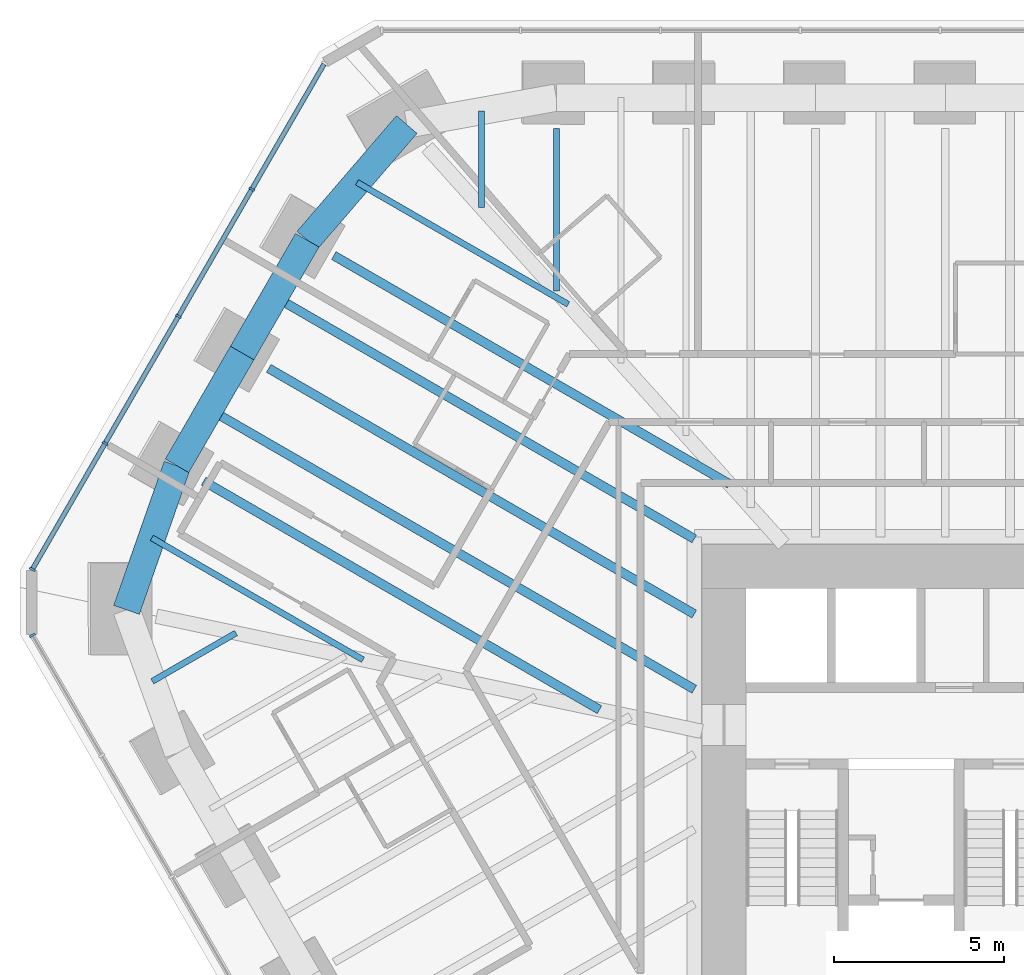
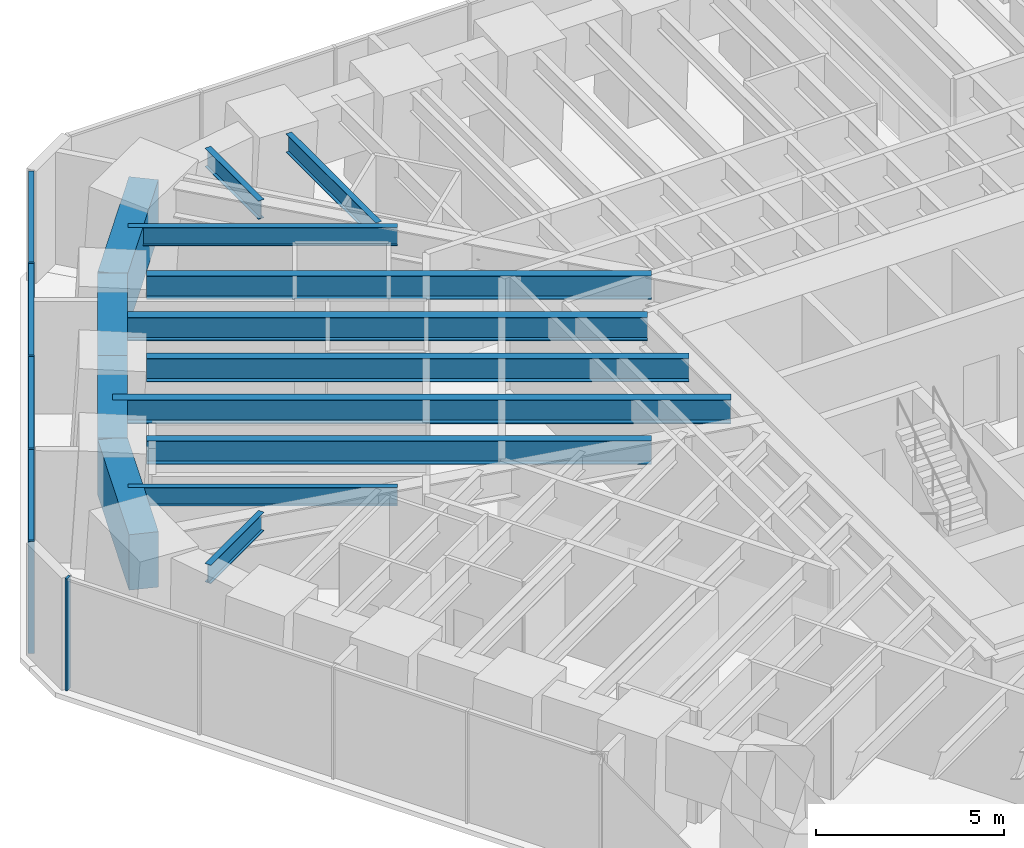
# One storey, part 7 of 17: 14 beams, 9 members, 2 elements without a shape of their own.
"""IFC4 building model written with IfcOpenShell, lengths in metres."""

from ifc_helpers import new_model, si_unit, direction, frame, origin, origin_2d, place, context, subcontext, project, spatial, rectangle, i_section, extrude, material, material_profile, profile_set, type_object, element, aggregate, save


model = new_model("IFC4")

# Units and contexts
model_context = context("Model", 3, precision=1e-05, world=origin(), true_north=direction((0.0, 1.0)))
body_context = subcontext(model_context, "Body", "Model", "MODEL_VIEW")
ifc_project = project(units=[si_unit("LENGTHUNIT", "METRE"), si_unit("AREAUNIT", "SQUARE_METRE"), si_unit("VOLUMEUNIT", "CUBIC_METRE"), si_unit("PLANEANGLEUNIT", "RADIAN"), si_unit("MASSUNIT", "GRAM", prefix="KILO")], contexts=[model_context])

# Site, building, storey
site_placement = place(None, origin())
site = spatial("IfcSite", under=ifc_project, at=site_placement, CompositionType="ELEMENT")
building_placement = place(site_placement, origin())
building = spatial("IfcBuilding", under=site, at=building_placement, Name="Sandreach Pilgrim Tower", CompositionType="ELEMENT")
storey_placement = place(building_placement, frame((0.0, 0.0, 161.39990234375)))
storey = spatial("IfcBuildingStorey", under=building, at=storey_placement, Name="L40", CompositionType="ELEMENT", Elevation=161.39990234375)

# Curtain wall, member
ifc_material_1 = material(Name="Aluminium framed curtain wall", Category="aluminium")
curtain_wall_type = type_object("IfcCurtainWallType", Name="Hotel tower curtain wall", PredefinedType="NOTDEFINED", material=ifc_material_1)
curtain_wall_1_placement = place(storey_placement, origin())
curtain_wall_1 = element("IfcCurtainWall", 1, at=curtain_wall_1_placement, inside=storey, type_object=curtain_wall_type, Name="CW-2 L40 SW", PredefinedType="NOTDEFINED")
ifc_material_2 = material(Name="Aluminium extrusion", Category="aluminium")
ifc_material_profile_1 = material_profile(ifc_material_2, rectangle(XDim=0.06494140625, YDim=0.179931640625, at=origin_2d()), Name="CW-2M 65X180")
ifc_profile_set_1 = profile_set([ifc_material_profile_1], Name="Aluminium extrusion")
member_type_1 = type_object("IfcMemberType", Name="CW-2 mullion", PredefinedType="MULLION", material=ifc_profile_set_1)
member_1_placement = place(storey_placement, frame((-28.70458984375, 4.730224609375, 0.0), z_axis=(0.0, 0.0, 1.0), x_axis=(-0.5, 0.866025403784, 0.0)))
member_1 = element("IfcMember", 2, at=member_1_placement, type_object=member_type_1, Name="CW-2 mullion 10", PredefinedType="MULLION", context=body_context, shape_type="SweptSolid", body=[
    extrude(rectangle(XDim=0.06494140625, YDim=0.179931640625, at=origin_2d()), origin(), (0.0, 0.0, 1.0), 3.64013671875),
])
aggregate(curtain_wall_1, [member_1])

# Curtain wall, members
curtain_wall_2_placement = place(storey_placement, origin())
curtain_wall_2 = element("IfcCurtainWall", 3, at=curtain_wall_2_placement, inside=storey, type_object=curtain_wall_type, Name="CW-2 L40 NW", PredefinedType="NOTDEFINED")
member_2_placement = place(storey_placement, frame((-28.70458984375, 6.66650390625, 0.0), z_axis=(0.0, 0.0, 1.0), x_axis=(0.5, 0.866025403784, 0.0)))
member_2 = element("IfcMember", 4, at=member_2_placement, type_object=member_type_1, Name="CW-2 mullion 1", PredefinedType="MULLION", context=body_context, shape_type="SweptSolid", body=[
    extrude(rectangle(XDim=0.06494140625, YDim=0.179931640625, at=origin_2d()), origin(), (0.0, 0.0, 1.0), 3.64013671875),
])
member_3_placement = place(storey_placement, frame((-26.568115234375, 10.3671875, 0.0), z_axis=(0.0, 0.0, 1.0), x_axis=(0.5, 0.866025403784, 0.0)))
member_3 = element("IfcMember", 5, at=member_3_placement, type_object=member_type_1, Name="CW-2 mullion 2", PredefinedType="MULLION", context=body_context, shape_type="SweptSolid", body=[
    extrude(rectangle(XDim=0.06494140625, YDim=0.179931640625, at=origin_2d()), origin(), (0.0, 0.0, 1.0), 3.64013671875),
])
member_4_placement = place(storey_placement, frame((-24.415283203125, 14.09619140625, 0.0), z_axis=(0.0, 0.0, 1.0), x_axis=(0.5, 0.866025403784, 0.0)))
member_4 = element("IfcMember", 6, at=member_4_placement, type_object=member_type_1, Name="CW-2 mullion 3", PredefinedType="MULLION", context=body_context, shape_type="SweptSolid", body=[
    extrude(rectangle(XDim=0.06494140625, YDim=0.179931640625, at=origin_2d()), origin(), (0.0, 0.0, 1.0), 3.64013671875),
])
member_5_placement = place(storey_placement, frame((-22.262451171875, 17.824951171875, 0.0), z_axis=(0.0, 0.0, 1.0), x_axis=(0.5, 0.866025403784, 0.0)))
member_5 = element("IfcMember", 7, at=member_5_placement, type_object=member_type_1, Name="CW-2 mullion 4", PredefinedType="MULLION", context=body_context, shape_type="SweptSolid", body=[
    extrude(rectangle(XDim=0.06494140625, YDim=0.179931640625, at=origin_2d()), origin(), (0.0, 0.0, 1.0), 3.64013671875),
])
ifc_material_3 = material(Name="Aluminium extrusion", Category="aluminium")
ifc_material_profile_2 = material_profile(ifc_material_3, rectangle(XDim=0.139892578125, YDim=0.070068359375, at=origin_2d()), Name="CW-2T 140X70")
ifc_profile_set_2 = profile_set([ifc_material_profile_2], Name="Aluminium extrusion")
member_type_2 = type_object("IfcMemberType", Name="CW-2 transom", PredefinedType="USERDEFINED", material=ifc_profile_set_2)
member_6_placement = place(storey_placement, frame((-28.6884765625, 6.69482421875, 3.60498046875), z_axis=(0.500038835258, 0.866002981077, 0.0), x_axis=(-0.866002981077, 0.500038835258, 0.0)))
member_6 = element("IfcMember", 8, at=member_6_placement, type_object=member_type_2, Name="CW-2 head transom 1", ObjectType="TRANSOM", PredefinedType="USERDEFINED", context=body_context, shape_type="SweptSolid", body=[
    extrude(rectangle(XDim=0.139892578125, YDim=0.070068359375, at=origin_2d()), origin(), (0.0, 0.0, 1.0), 4.208251953125),
])
member_7_placement = place(storey_placement, frame((-26.5517578125, 10.3955078125, 3.60498046875), z_axis=(0.500021471012, 0.866013007135, 0.0), x_axis=(-0.866013007135, 0.500021471012, 0.0)))
member_7 = element("IfcMember", 9, at=member_7_placement, type_object=member_type_2, Name="CW-2 head transom 2", ObjectType="TRANSOM", PredefinedType="USERDEFINED", context=body_context, shape_type="SweptSolid", body=[
    extrude(rectangle(XDim=0.139892578125, YDim=0.070068359375, at=origin_2d()), origin(), (0.0, 0.0, 1.0), 4.240478515625),
])
member_8_placement = place(storey_placement, frame((-24.39892578125, 14.124267578125, 3.60498046875), z_axis=(0.499996541496, 0.866027400544, 0.0), x_axis=(-0.866027400544, 0.499996541496, 0.0)))
member_8 = element("IfcMember", 10, at=member_8_placement, type_object=member_type_2, Name="CW-2 head transom 3", ObjectType="TRANSOM", PredefinedType="USERDEFINED", context=body_context, shape_type="SweptSolid", body=[
    extrude(rectangle(XDim=0.139892578125, YDim=0.070068359375, at=origin_2d()), origin(), (0.0, 0.0, 1.0), 4.24072265625),
])
member_9_placement = place(storey_placement, frame((-22.24609375, 17.85302734375, 3.60498046875), z_axis=(0.49997020258, 0.86604260665, 0.0), x_axis=(-0.86604260665, 0.49997020258, 0.0)))
member_9 = element("IfcMember", 11, at=member_9_placement, type_object=member_type_2, Name="CW-2 head transom 4", ObjectType="TRANSOM", PredefinedType="USERDEFINED", context=body_context, shape_type="SweptSolid", body=[
    extrude(rectangle(XDim=0.139892578125, YDim=0.070068359375, at=origin_2d()), origin(), (0.0, 0.0, 1.0), 4.208251953125),
])
aggregate(curtain_wall_2, [member_2, member_3, member_4, member_5, member_6, member_7, member_8, member_9])

# Beams
ifc_material_4 = material(Name="Steel ASTM A992 Grade 50", Category="steel")
ifc_material_profile_3 = material_profile(ifc_material_4, i_section(OverallWidth=0.1787109375, OverallDepth=0.60205078125, WebThickness=0.010986328125, FlangeThickness=0.014892578125, at=origin_2d()), Name="W24X62")
ifc_profile_set_3 = profile_set([ifc_material_profile_3], Name="Steel ASTM A992 Grade 50")
beam_type_1 = type_object("IfcBeamType", Name="Floor beam W24X62", PredefinedType="BEAM", material=ifc_profile_set_3)
beam_1_placement = place(storey_placement, frame((-13.322998046875, 19.614990234375, 3.339111328125), z_axis=(0.0, -1.0, 0.0), x_axis=(1.0, 0.0, 0.0)))
element("IfcBeam", 12, at=beam_1_placement, inside=storey, type_object=beam_type_1, Name="BM L40 F01", PredefinedType="BEAM", context=body_context, shape_type="SweptSolid", body=[
    extrude(i_section(OverallWidth=0.1787109375, OverallDepth=0.60205078125, WebThickness=0.010986328125, FlangeThickness=0.014892578125, at=origin_2d()), origin(), (0.0, 0.0, 1.0), 4.777587890625),
])
beam_2_placement = place(storey_placement, frame((-25.184326171875, 3.378662109375, 3.339111328125), z_axis=(0.866022320763, 0.500005339912, 0.0), x_axis=(-0.500005339912, 0.866022320763, 0.0)))
element("IfcBeam", 13, at=beam_2_placement, inside=storey, type_object=beam_type_1, Name="BM L40 FM34", PredefinedType="BEAM", context=body_context, shape_type="SweptSolid", body=[
    extrude(i_section(OverallWidth=0.1787109375, OverallDepth=0.60205078125, WebThickness=0.010986328125, FlangeThickness=0.014892578125, at=origin_2d()), origin(), (0.0, 0.0, 1.0), 2.8388671875),
])
for number, where, z_axis, x_axis, name in (
    (14, (-25.198974609375, 7.59130859375, 3.339111328125), (0.866020927947, -0.500007752297, 0.0), (0.500007752297, 0.866020927947, 0.0), "BM L40 FM35"),
    (15, (-19.173828125, 18.02734375, 3.339111328125), (0.866020927947, -0.500007752297, 0.0), (0.500007752297, 0.866020927947, 0.0), "BM L40 FM38"),
):
    element("IfcBeam", number, at=place(storey_placement, frame(where, z_axis=z_axis, x_axis=x_axis)), inside=storey, type_object=beam_type_1, Name=name, PredefinedType="BEAM", context=body_context, shape_type="SweptSolid", body=[
        extrude(i_section(OverallWidth=0.1787109375, OverallDepth=0.60205078125, WebThickness=0.010986328125, FlangeThickness=0.014892578125, at=origin_2d()), origin(), (0.0, 0.0, 1.0), 7.16064453125),
    ])
beam_3_placement = place(storey_placement, frame((-15.518310546875, 20.120849609375, 3.339111328125), z_axis=(0.0, -1.0, 0.0), x_axis=(1.0, 0.0, 0.0)))
element("IfcBeam", 16, at=beam_3_placement, inside=storey, type_object=beam_type_1, Name="BM L40 FM39", PredefinedType="BEAM", context=body_context, shape_type="SweptSolid", body=[
    extrude(i_section(OverallWidth=0.1787109375, OverallDepth=0.60205078125, WebThickness=0.010986328125, FlangeThickness=0.014892578125, at=origin_2d()), origin(), (0.0, 0.0, 1.0), 2.8388671875),
])
ifc_material_5 = material(Name="Steel ASTM A992 Grade 50", Category="steel")
ifc_material_profile_4 = material_profile(ifc_material_5, i_section(OverallWidth=0.2666015625, OverallDepth=0.761962890625, WebThickness=0.014404296875, FlangeThickness=0.021484375, at=origin_2d()), Name="W30X116")
ifc_profile_set_4 = profile_set([ifc_material_profile_4], Name="Steel ASTM A992 Grade 50")
beam_type_2 = type_object("IfcBeamType", Name="Floor beam W30X116", PredefinedType="BEAM", material=ifc_profile_set_4)
beam_4_placement = place(storey_placement, frame((-23.677978515625, 9.255859375, 3.259033203125), z_axis=(0.866021399319, -0.500006935874, 0.0), x_axis=(0.500006935874, 0.866021399319, 0.0)))
element("IfcBeam", 17, at=beam_4_placement, inside=storey, type_object=beam_type_2, Name="BM L40 F36", PredefinedType="BEAM", context=body_context, shape_type="SweptSolid", body=[
    extrude(i_section(OverallWidth=0.2666015625, OverallDepth=0.761962890625, WebThickness=0.014404296875, FlangeThickness=0.021484375, at=origin_2d()), origin(), (0.0, 0.0, 1.0), 13.421142578125),
])
beam_5_placement = place(storey_placement, frame((-21.766357421875, 12.56689453125, 3.259033203125), z_axis=(0.866025804792, -0.499999305434, 0.0), x_axis=(0.499999305434, 0.866025804792, 0.0)))
element("IfcBeam", 18, at=beam_5_placement, inside=storey, type_object=beam_type_2, Name="BM L40 F37", PredefinedType="BEAM", context=body_context, shape_type="SweptSolid", body=[
    extrude(i_section(OverallWidth=0.2666015625, OverallDepth=0.761962890625, WebThickness=0.014404296875, FlangeThickness=0.021484375, at=origin_2d()), origin(), (0.0, 0.0, 1.0), 14.42724609375),
])
beam_6_placement = place(storey_placement, frame((-19.854736328125, 15.8779296875, 3.259033203125), z_axis=(0.866021399319, -0.500006935874, 0.0), x_axis=(0.500006935874, 0.866021399319, 0.0)))
element("IfcBeam", 19, at=beam_6_placement, inside=storey, type_object=beam_type_2, Name="BM L40 F38", PredefinedType="BEAM", context=body_context, shape_type="SweptSolid", body=[
    extrude(i_section(OverallWidth=0.2666015625, OverallDepth=0.761962890625, WebThickness=0.014404296875, FlangeThickness=0.021484375, at=origin_2d()), origin(), (0.0, 0.0, 1.0), 13.421142578125),
])
beam_7_placement = place(storey_placement, frame((-21.590087890625, 14.67236328125, 3.259033203125), z_axis=(0.866026948466, -0.499997324523, 0.0), x_axis=(0.499997324523, 0.866026948466, 0.0)))
element("IfcBeam", 20, at=beam_7_placement, inside=storey, type_object=beam_type_2, Name="BM L40 FM37", PredefinedType="BEAM", context=body_context, shape_type="SweptSolid", body=[
    extrude(i_section(OverallWidth=0.2666015625, OverallDepth=0.761962890625, WebThickness=0.014404296875, FlangeThickness=0.021484375, at=origin_2d()), origin(), (0.0, 0.0, 1.0), 14.2236328125),
])
ifc_material_6 = material(Name="Steel ASTM A992 Grade 50", Category="steel")
ifc_material_profile_5 = material_profile(ifc_material_6, i_section(OverallWidth=0.2666015625, OverallDepth=0.77978515625, WebThickness=0.0166015625, FlangeThickness=0.030029296875, at=origin_2d()), Name="W30X148")
ifc_profile_set_5 = profile_set([ifc_material_profile_5], Name="Steel ASTM A992 Grade 50")
beam_type_3 = type_object("IfcBeamType", Name="Floor beam W30X148", PredefinedType="BEAM", material=ifc_profile_set_5)
beam_8_placement = place(storey_placement, frame((-23.501708984375, 11.361328125, 3.250244140625), z_axis=(0.866030939752, -0.499990411301, 0.0), x_axis=(0.499990411301, 0.866030939752, 0.0)))
element("IfcBeam", 21, at=beam_8_placement, inside=storey, type_object=beam_type_3, Name="BM L40 FM36", PredefinedType="BEAM", context=body_context, shape_type="SweptSolid", body=[
    extrude(i_section(OverallWidth=0.2666015625, OverallDepth=0.77978515625, WebThickness=0.0166015625, FlangeThickness=0.030029296875, at=origin_2d()), origin(), (0.0, 0.0, 1.0), 16.430908203125),
])
ifc_material_7 = material(Name="Concrete 10000 psi", Category="concrete")
ifc_material_profile_6 = material_profile(ifc_material_7, rectangle(XDim=0.800048828125, YDim=1.800048828125, at=origin_2d()), Name="RC800X1800")
ifc_profile_set_6 = profile_set([ifc_material_profile_6], Name="Concrete 10000 psi")
beam_type_4 = type_object("IfcBeamType", Name="Spandrel beam RC800X1800", PredefinedType="SPANDREL", material=ifc_profile_set_6)
beam_9_placement = place(storey_placement, frame((-25.940673828125, 5.476806640625, 2.739990234375), z_axis=(0.330947299539, 0.943649238291, 0.0), x_axis=(-0.943649238291, 0.330947299539, 0.0)))
element("IfcBeam", 22, at=beam_9_placement, inside=storey, type_object=beam_type_4, Name="BM L40 SP35", PredefinedType="SPANDREL", context=body_context, shape_type="SweptSolid", body=[
    extrude(rectangle(XDim=0.800048828125, YDim=1.800048828125, at=origin_2d()), origin(), (0.0, 0.0, 1.0), 4.4814453125),
])
for number, where, z_axis, x_axis, name in (
    (23, (-24.45751953125, 9.705810546875, 2.739990234375), (0.499998833779, 0.866026077102, 0.0), (-0.866026077102, 0.499998833779, 0.0), "BM L40 SP36"),
    (24, (-22.5458984375, 13.016845703125, 2.739990234375), (0.499998833779, 0.866026077102, 0.0), (-0.866026077102, 0.499998833779, 0.0), "BM L40 SP37"),
):
    element("IfcBeam", number, at=place(storey_placement, frame(where, z_axis=z_axis, x_axis=x_axis)), inside=storey, type_object=beam_type_4, Name=name, PredefinedType="SPANDREL", context=body_context, shape_type="SweptSolid", body=[
        extrude(rectangle(XDim=0.800048828125, YDim=1.800048828125, at=origin_2d()), origin(), (0.0, 0.0, 1.0), 3.8232421875),
    ])
beam_10_placement = place(storey_placement, frame((-20.63427734375, 16.327880859375, 2.739990234375), z_axis=(0.651759888722, 0.758425373687, 0.0), x_axis=(-0.758425373687, 0.651759888722, 0.0)))
element("IfcBeam", 25, at=beam_10_placement, inside=storey, type_object=beam_type_4, Name="BM L40 SP38", PredefinedType="SPANDREL", context=body_context, shape_type="SweptSolid", body=[
    extrude(rectangle(XDim=0.800048828125, YDim=1.800048828125, at=origin_2d()), origin(), (0.0, 0.0, 1.0), 4.4814453125),
])

save(model, "model.ifc")
